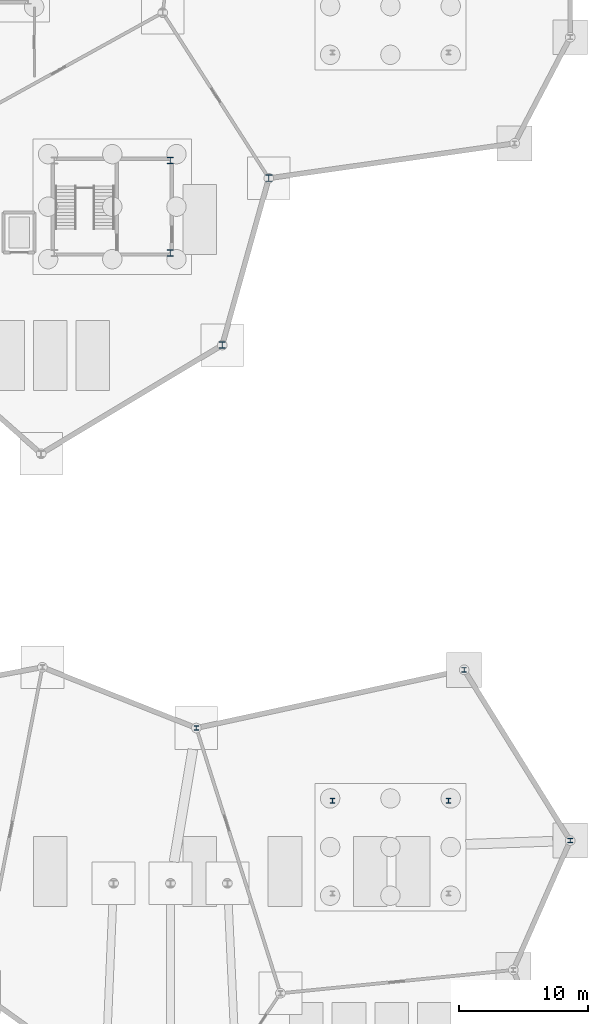
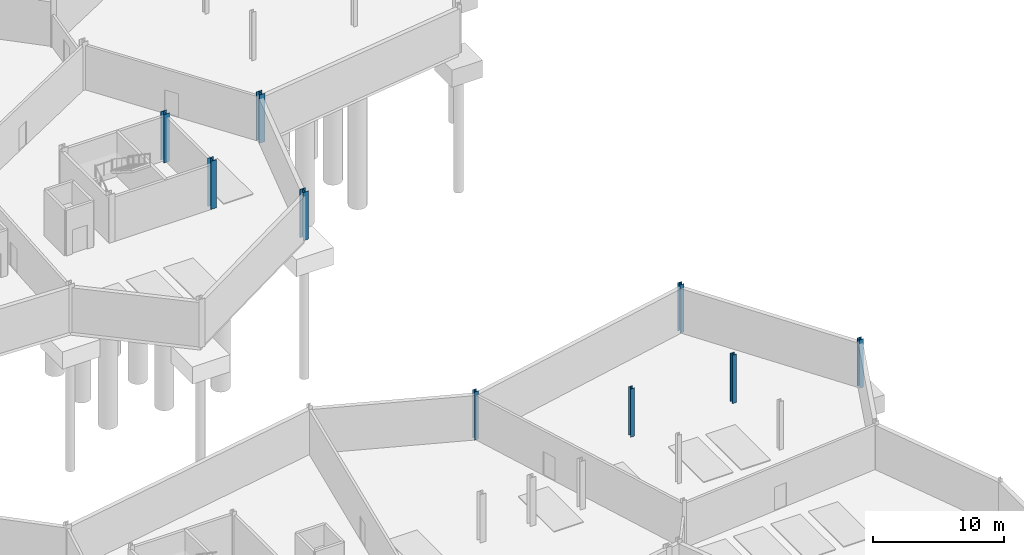
# One storey, part 23 of 37: 9 columns.
"""IFC4 building model written with IfcOpenShell, lengths in metres."""

from ifc_helpers import new_model, si_unit, direction, frame, origin, origin_2d, place, context, subcontext, project, spatial, i_section, extrude, material, material_profile, profile_set, type_object, element, save


model = new_model("IFC4")

# Units and contexts
model_context = context("Model", 3, precision=1e-05, world=origin(), true_north=direction((0.0, 1.0)))
body_context = subcontext(model_context, "Body", "Model", "MODEL_VIEW")
ifc_project = project(units=[si_unit("LENGTHUNIT", "METRE"), si_unit("AREAUNIT", "SQUARE_METRE"), si_unit("VOLUMEUNIT", "CUBIC_METRE"), si_unit("PLANEANGLEUNIT", "RADIAN"), si_unit("MASSUNIT", "GRAM", prefix="KILO")], contexts=[model_context])

# Site, building, storey
site_placement = place(None, origin())
site = spatial("IfcSite", under=ifc_project, at=site_placement, CompositionType="ELEMENT")
building_placement = place(site_placement, origin())
building = spatial("IfcBuilding", under=site, at=building_placement, Name="Tameran Prism Museum", CompositionType="ELEMENT")
storey_placement = place(building_placement, frame((0.0, 0.0, -4.5)))
storey = spatial("IfcBuildingStorey", under=building, at=storey_placement, Name="B1", CompositionType="ELEMENT", Elevation=-4.5)

# Columns
ifc_material_1 = material(Name="Steel Grade 350 (350 MPa)", Category="steel")
ifc_material_profile_1 = material_profile(ifc_material_1, i_section(OverallWidth=0.35009765625, OverallDepth=0.35009765625, WebThickness=0.02001953125, FlangeThickness=0.028076171875, at=origin_2d()))
ifc_profile_set_1 = profile_set([ifc_material_profile_1])
column_type_1 = type_object("IfcColumnType", Name="COL-WC350", PredefinedType="COLUMN", material=ifc_profile_set_1)
for number, where, z_axis, x_axis, name in (
    (1, (137.5, 42.699951171875, 0.0), (0.0, 0.0, 1.0), (1.0, 0.0, 0.0), "Column CV-56 B1"),
    (2, (158.199951171875, 47.199951171875, 0.0), (0.0, 0.0, 1.0), (1.0, 0.0, 0.0), "Column CV-65 B1"),
    (3, (166.39990234375, 34.0, 0.0), (0.0, 0.0, 1.0), (1.0, 0.0, 0.0), "Column CV-70 B1"),
    (4, (156.97998046875, 37.080078125, 0.0), (0.0, 0.0, 1.0), (1.0, 0.0, 0.0), "Column CC-13-3 B1"),
    (5, (148.02001953125, 37.080078125, 0.0), (0.0, 0.0, 1.0), (1.0, 0.0, 0.0), "Column CC-13-4 B1"),
):
    element("IfcColumn", number, at=place(storey_placement, frame(where, z_axis=z_axis, x_axis=x_axis)), inside=storey, type_object=column_type_1, Name=name, PredefinedType="COLUMN", context=body_context, shape_type="SweptSolid", body=[
        extrude(i_section(OverallWidth=0.35009765625, OverallDepth=0.35009765625, WebThickness=0.02001953125, FlangeThickness=0.028076171875, at=origin_2d()), origin(), (0.0, 0.0, 1.0), 4.5),
    ])
ifc_material_2 = material(Name="Steel Grade 350 (350 MPa)", Category="steel")
ifc_material_profile_2 = material_profile(ifc_material_2, i_section(OverallWidth=0.5, OverallDepth=0.5, WebThickness=0.02197265625, FlangeThickness=0.035888671875, at=origin_2d()))
ifc_profile_set_2 = profile_set([ifc_material_profile_2])
column_type_2 = type_object("IfcColumnType", Name="COL-WC500", PredefinedType="COLUMN", material=ifc_profile_set_2)
for number, where, z_axis, x_axis, name in (
    (6, (139.5, 72.300048828125, 0.0), (0.0, 0.0, 1.0), (1.0, 0.0, 0.0), "Column CV-57 B1"),
    (7, (143.10009765625, 85.199951171875, 0.0), (0.0, 0.0, 1.0), (1.0, 0.0, 0.0), "Column CV-60 B1"),
    (8, (135.47998046875, 79.419921875, 0.0), (0.0, 0.0, 1.0), (1.0, 0.0, 0.0), "Column CC-2-2 B1"),
    (9, (135.47998046875, 86.580078125, 0.0), (0.0, 0.0, 1.0), (1.0, 0.0, 0.0), "Column CC-2-3 B1"),
):
    element("IfcColumn", number, at=place(storey_placement, frame(where, z_axis=z_axis, x_axis=x_axis)), inside=storey, type_object=column_type_2, Name=name, PredefinedType="COLUMN", context=body_context, shape_type="SweptSolid", body=[
        extrude(i_section(OverallWidth=0.5, OverallDepth=0.5, WebThickness=0.02197265625, FlangeThickness=0.035888671875, at=origin_2d()), origin(), (0.0, 0.0, 1.0), 4.5),
    ])

save(model, "model.ifc")
